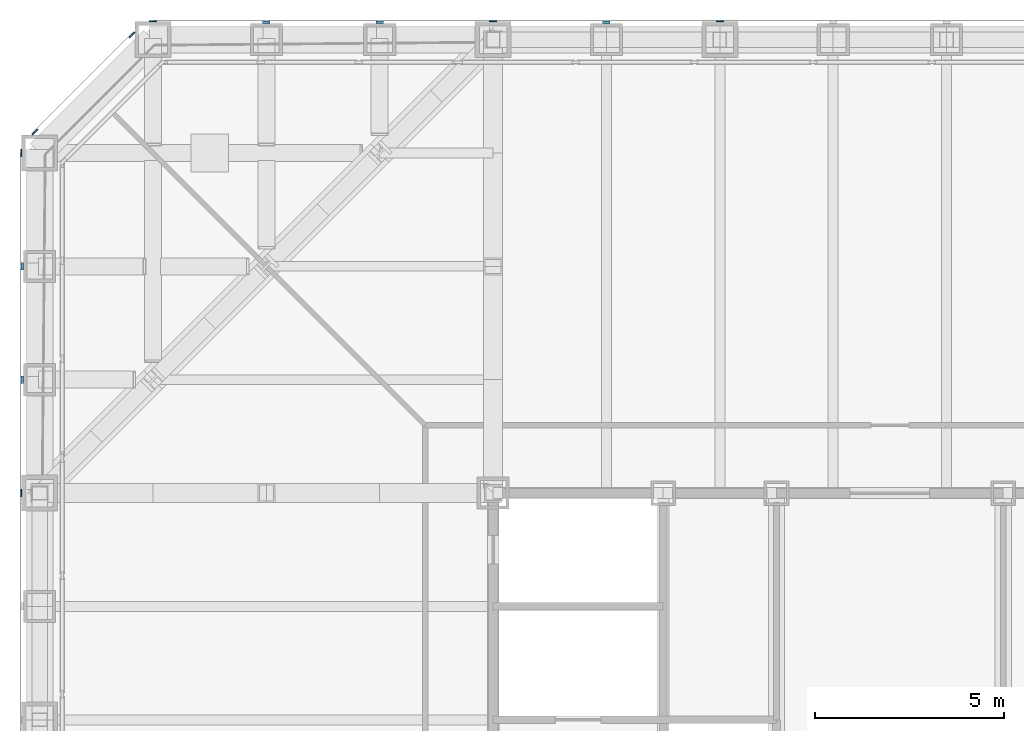
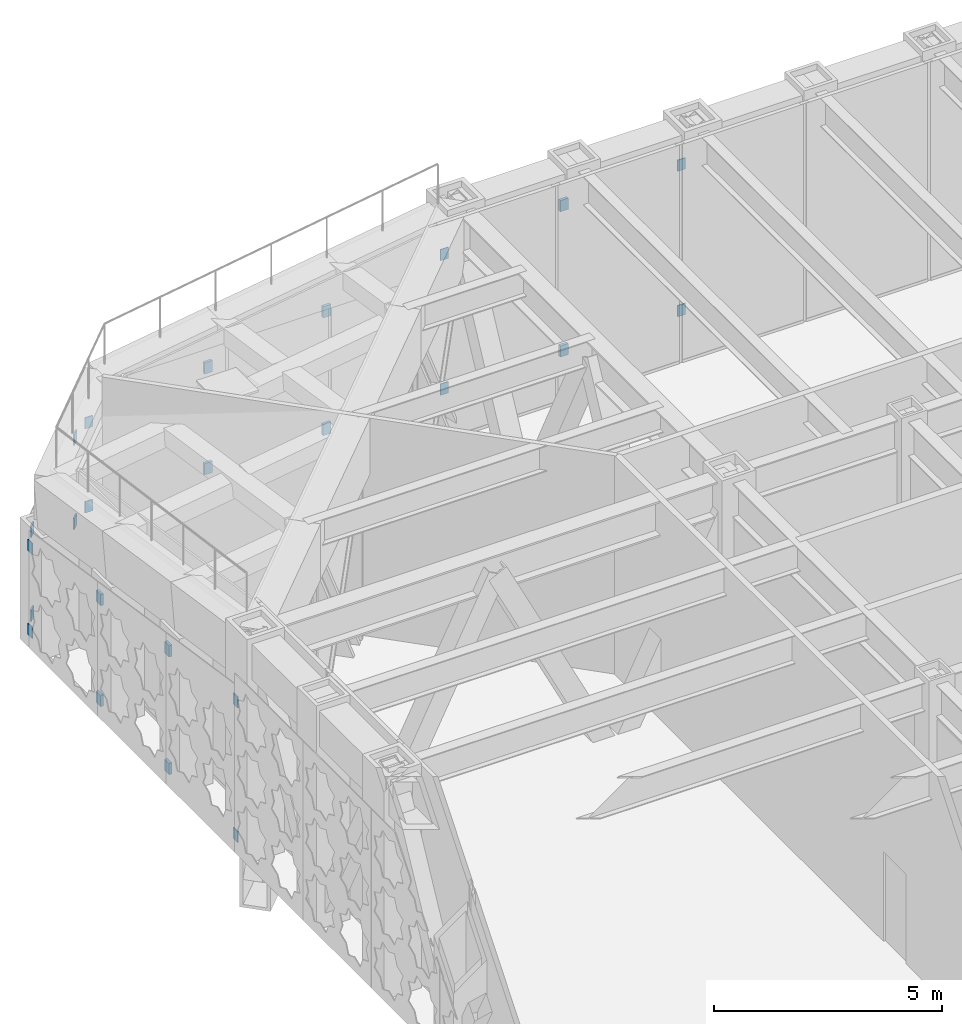
# One storey, part 17 of 28: 24 discrete accessories.
"""IFC4 building model written with IfcOpenShell, lengths in metres."""

from ifc_helpers import new_model, si_unit, direction, frame, origin, origin_2d, place, context, subcontext, project, spatial, rectangle, extrude, material, type_object, element, save


model = new_model("IFC4")

# Units and contexts
model_context = context("Model", 3, precision=1e-05, world=origin(), true_north=direction((0.0, 1.0)))
body_context = subcontext(model_context, "Body", "Model", "MODEL_VIEW")
ifc_project = project(units=[si_unit("LENGTHUNIT", "METRE"), si_unit("AREAUNIT", "SQUARE_METRE"), si_unit("VOLUMEUNIT", "CUBIC_METRE"), si_unit("PLANEANGLEUNIT", "RADIAN"), si_unit("MASSUNIT", "GRAM", prefix="KILO")], contexts=[model_context])

# Site, building, storey
site_placement = place(None, origin())
site = spatial("IfcSite", under=ifc_project, at=site_placement, CompositionType="ELEMENT")
building_placement = place(site_placement, origin())
building = spatial("IfcBuilding", under=site, at=building_placement, Name="Chuquiago Exchange Tower", CompositionType="ELEMENT")
storey_placement = place(building_placement, frame((0.0, 0.0, 174.0)))
storey = spatial("IfcBuildingStorey", under=building, at=storey_placement, Name="L38", CompositionType="ELEMENT", Elevation=174.0)

# Discrete accessories
ifc_material_1 = material(Name="Stainless steel plate bracket", Category="steel")
discrete_accessory_type_1 = type_object("IfcDiscreteAccessoryType", Name="GB4 cladding bracket 75", PredefinedType="BRACKET", material=ifc_material_1)
for number, where, z_axis, x_axis, name in (
    (1, (15.0, 45.46240234375, 0.35009765625), (0.0, 0.0, 1.0), (-1.0, 0.0, 0.0), "Cladding bracket L38 N"),
    (2, (15.0, 45.46240234375, 4.23974609375), (0.0, 0.0, 1.0), (-1.0, 0.0, 0.0), "Cladding bracket L38 N"),
    (3, (9.0, 45.46240234375, 0.35009765625), (0.0, 0.0, 1.0), (-1.0, 0.0, 0.0), "Cladding bracket L38 N"),
    (4, (9.0, 45.46240234375, 3.498046875), (0.0, 0.0, 1.0), (-1.0, 0.0, 0.0), "Cladding bracket L38 N"),
    (5, (6.0, 45.46240234375, 0.35009765625), (0.0, 0.0, 1.0), (-1.0, 0.0, 0.0), "Cladding bracket L38 N"),
    (6, (6.0, 45.46240234375, 3.04736328125), (0.0, 0.0, 1.0), (-1.0, 0.0, 0.0), "Cladding bracket L38 N"),
    (7, (-0.46240234375, 39.0, 0.35009765625), (0.0, 0.0, 1.0), (0.0, -1.0, 0.0), "Cladding bracket L38 W"),
    (8, (-0.46240234375, 39.0, 3.04736328125), (0.0, 0.0, 1.0), (0.0, -1.0, 0.0), "Cladding bracket L38 W"),
    (9, (-0.46240234375, 36.0, 0.35009765625), (0.0, 0.0, 1.0), (0.0, -1.0, 0.0), "Cladding bracket L38 W"),
    (10, (-0.46240234375, 36.0, 3.498046875), (0.0, 0.0, 1.0), (0.0, -1.0, 0.0), "Cladding bracket L38 W"),
):
    element("IfcDiscreteAccessory", number, at=place(storey_placement, frame(where, z_axis=z_axis, x_axis=x_axis)), inside=storey, type_object=discrete_accessory_type_1, Name=name, PredefinedType="BRACKET", context=body_context, shape_type="SweptSolid", body=[
        extrude(rectangle(XDim=0.199951171875, YDim=0.074951171875, at=origin_2d()), origin(), (0.0, 0.0, 1.0), 0.300048828125),
    ])
ifc_material_2 = material(Name="Stainless steel plate bracket", Category="steel")
discrete_accessory_type_2 = type_object("IfcDiscreteAccessoryType", Name="GB6 cladding bracket 35", PredefinedType="BRACKET", material=ifc_material_2)
for number, where, z_axis, x_axis, name in (
    (11, (2.44189453125, 45.123779296875, 0.35009765625), (0.0, 0.0, 1.0), (-0.707106781187, -0.707106781187, 0.0), "Cladding bracket L38 NW"),
    (12, (2.44189453125, 45.123779296875, 2.59716796875), (0.0, 0.0, 1.0), (-0.707106781187, -0.707106781187, 0.0), "Cladding bracket L38 NW"),
    (13, (-0.123779296875, 42.55810546875, 0.35009765625), (0.0, 0.0, 1.0), (-0.707106781187, -0.707106781187, 0.0), "Cladding bracket L38 NW"),
    (14, (-0.123779296875, 42.55810546875, 2.59716796875), (0.0, 0.0, 1.0), (-0.707106781187, -0.707106781187, 0.0), "Cladding bracket L38 NW"),
):
    element("IfcDiscreteAccessory", number, at=place(storey_placement, frame(where, z_axis=z_axis, x_axis=x_axis)), inside=storey, type_object=discrete_accessory_type_2, Name=name, PredefinedType="BRACKET", context=body_context, shape_type="SweptSolid", body=[
        extrude(rectangle(XDim=0.199951171875, YDim=0.035400390625, at=origin_2d()), origin(), (0.0, 0.0, 1.0), 0.300048828125),
    ])
ifc_material_3 = material(Name="Stainless steel plate bracket", Category="steel")
discrete_accessory_type_3 = type_object("IfcDiscreteAccessoryType", Name="GB7 cladding bracket 25", PredefinedType="BRACKET", material=ifc_material_3)
for number, where, z_axis, x_axis, name in (
    (15, (18.0, 45.487548828125, 0.35009765625), (0.0, 0.0, 1.0), (-1.0, 0.0, 0.0), "Cladding bracket L38 N"),
    (16, (18.0, 45.487548828125, 4.23974609375), (0.0, 0.0, 1.0), (-1.0, 0.0, 0.0), "Cladding bracket L38 N"),
    (17, (12.0, 45.487548828125, 0.35009765625), (0.0, 0.0, 1.0), (-1.0, 0.0, 0.0), "Cladding bracket L38 N"),
    (18, (12.0, 45.487548828125, 3.94921875), (0.0, 0.0, 1.0), (-1.0, 0.0, 0.0), "Cladding bracket L38 N"),
    (19, (3.0, 45.487548828125, 0.35009765625), (0.0, 0.0, 1.0), (-1.0, 0.0, 0.0), "Cladding bracket L38 N"),
    (20, (3.0, 45.487548828125, 2.59814453125), (0.0, 0.0, 1.0), (-1.0, 0.0, 0.0), "Cladding bracket L38 N"),
    (21, (-0.487548828125, 42.0, 0.35009765625), (0.0, 0.0, 1.0), (0.0, -1.0, 0.0), "Cladding bracket L38 W"),
    (22, (-0.487548828125, 42.0, 2.59814453125), (0.0, 0.0, 1.0), (0.0, -1.0, 0.0), "Cladding bracket L38 W"),
    (23, (-0.487548828125, 33.0, 0.35009765625), (0.0, 0.0, 1.0), (0.0, -1.0, 0.0), "Cladding bracket L38 W"),
    (24, (-0.487548828125, 33.0, 3.94921875), (0.0, 0.0, 1.0), (0.0, -1.0, 0.0), "Cladding bracket L38 W"),
):
    element("IfcDiscreteAccessory", number, at=place(storey_placement, frame(where, z_axis=z_axis, x_axis=x_axis)), inside=storey, type_object=discrete_accessory_type_3, Name=name, PredefinedType="BRACKET", context=body_context, shape_type="SweptSolid", body=[
        extrude(rectangle(XDim=0.199951171875, YDim=0.02490234375, at=origin_2d()), origin(), (0.0, 0.0, 1.0), 0.300048828125),
    ])

save(model, "model.ifc")
